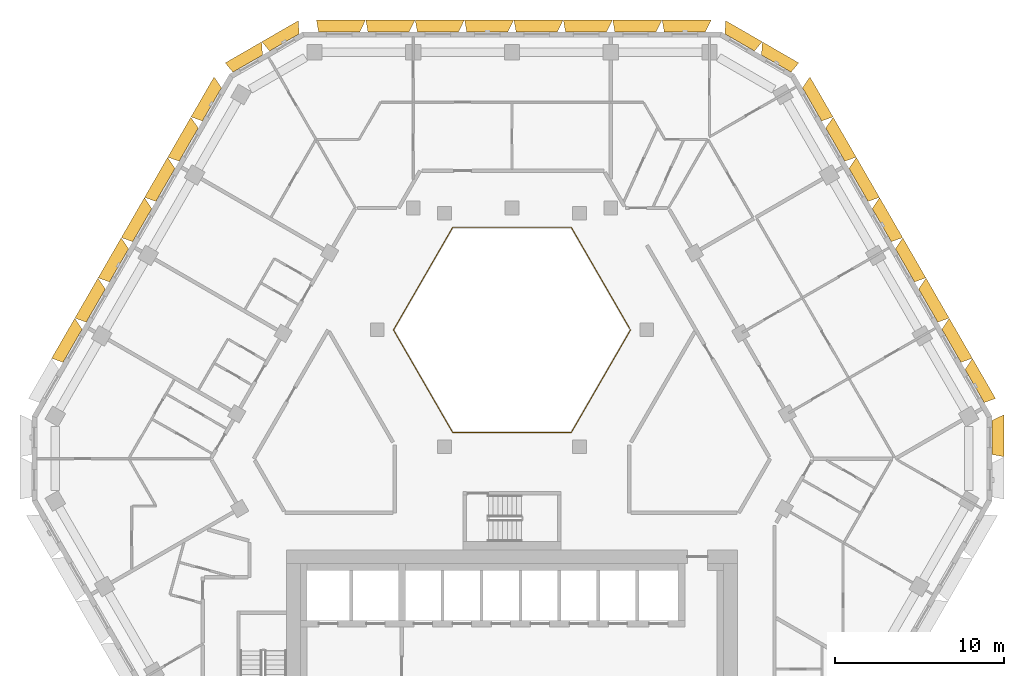
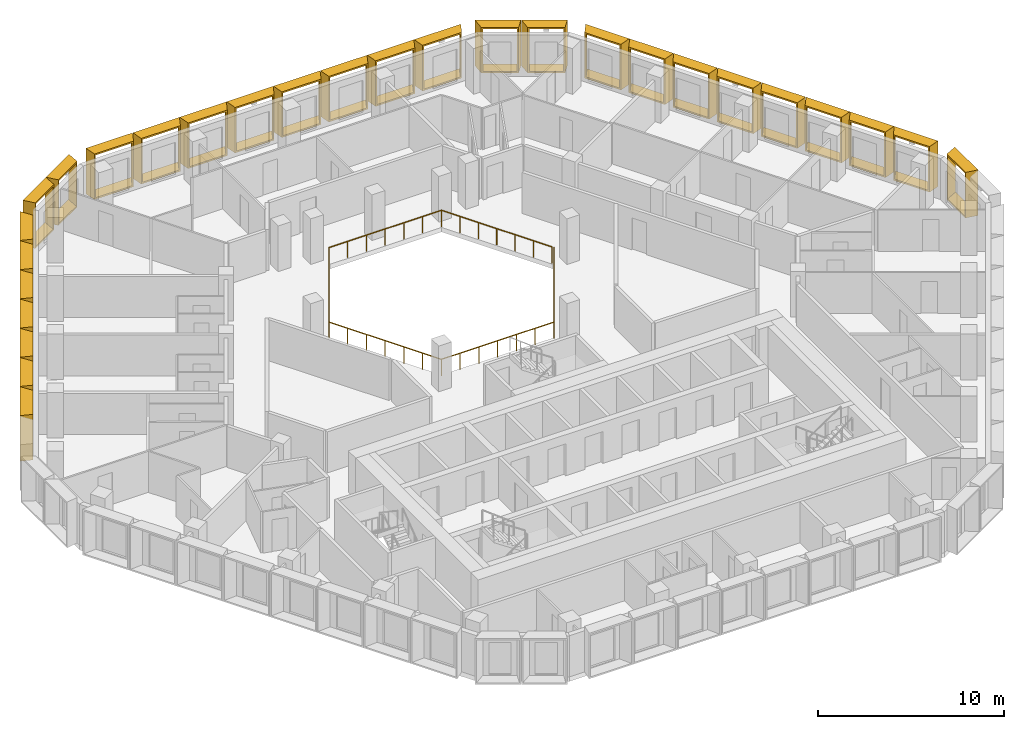
# One storey, part 17 of 17: 28 shading devices, 1 railing.
"""IFC4 building model written with IfcOpenShell, lengths in metres."""

from ifc_helpers import new_model, entity, si_unit, direction, frame, origin, origin_2d, place, context, subcontext, project, spatial, rectangle, extrude, source, transform, mapped, material, type_object, type_shapes, element, save


model = new_model("IFC4")

# Units and contexts
model_context = context("Model", 3, precision=1e-05, world=origin(), true_north=direction((0.0, 1.0)))
body_context = subcontext(model_context, "Body", "Model", "MODEL_VIEW")
ifc_project = project(units=[si_unit("LENGTHUNIT", "METRE"), si_unit("AREAUNIT", "SQUARE_METRE"), si_unit("VOLUMEUNIT", "CUBIC_METRE"), si_unit("PLANEANGLEUNIT", "RADIAN"), si_unit("MASSUNIT", "GRAM", prefix="KILO")], contexts=[model_context])

# Site, building, storey
site_placement = place(None, origin())
site = spatial("IfcSite", under=ifc_project, at=site_placement, CompositionType="ELEMENT")
building_placement = place(site_placement, origin())
building = spatial("IfcBuilding", under=site, at=building_placement, Name="Beryl Residences", CompositionType="ELEMENT")
storey_placement = place(building_placement, frame((0.0, 0.0, 126.60009765625)))
storey = spatial("IfcBuildingStorey", under=building, at=storey_placement, Name="L38", CompositionType="ELEMENT", Elevation=126.60009765625)

# Railing
ifc_material_1 = material(Name="Stainless steel balustrade with glass infill", Category="steel")
railing_type = type_object("IfcRailingType", Name="EG1 edge guard 1100 mm", PredefinedType="GUARDRAIL", material=ifc_material_1)
railing_placement = place(storey_placement, frame((6.9970703125, 8.0, 0.0)))
element("IfcRailing", 1, at=railing_placement, inside=storey, type_object=railing_type, Name="L38 atrium guard", PredefinedType="GUARDRAIL", context=body_context, shape_type="SweptSolid", body=[
    extrude(rectangle(XDim=0.048095703125, YDim=0.048095703125, at=origin_2d()), frame((0.0, 0.0, 1.076171875), z_axis=(-0.499921796684, -0.866070549782, 0.0), x_axis=(0.866070549782, -0.499921796684, 0.0)), (0.0, 0.0, 1.0), 6.9970703125),
    extrude(rectangle(XDim=0.048095703125, YDim=0.048095703125, at=origin_2d()), frame((-3.498046875, -6.06005859375, 1.076171875), z_axis=(-1.0, 0.0, 0.0), x_axis=(0.0, -1.0, 0.0)), (0.0, 0.0, 1.0), 6.998046875),
    extrude(rectangle(XDim=0.048095703125, YDim=0.048095703125, at=origin_2d()), frame((-10.49609375, -6.06005859375, 1.076171875), z_axis=(-0.499921796684, 0.866070549782, 0.0), x_axis=(-0.866070549782, -0.499921796684, 0.0)), (0.0, 0.0, 1.0), 6.9970703125),
    extrude(rectangle(XDim=0.048095703125, YDim=0.048095703125, at=origin_2d()), frame((-13.994140625, 0.0, 1.076171875), z_axis=(0.499921796684, 0.866070549782, 0.0), x_axis=(-0.866070549782, 0.499921796684, 0.0)), (0.0, 0.0, 1.0), 6.9970703125),
    extrude(rectangle(XDim=0.048095703125, YDim=0.048095703125, at=origin_2d()), frame((-10.49609375, 6.06005859375, 1.076171875), z_axis=(1.0, 0.0, 0.0), x_axis=(0.0, 1.0, 0.0)), (0.0, 0.0, 1.0), 6.998046875),
    extrude(rectangle(XDim=0.048095703125, YDim=0.048095703125, at=origin_2d()), frame((-3.498046875, 6.06005859375, 1.076171875), z_axis=(0.499919131929, -0.866072087953, 0.0), x_axis=(0.866072087953, 0.499919131929, 0.0)), (0.0, 0.0, 1.0), 6.877197265625),
    extrude(rectangle(XDim=0.0419921875, YDim=0.0419921875, at=origin_2d()), origin(), (0.0, 0.0, 1.0), 1.052001953125),
    extrude(rectangle(XDim=0.0419921875, YDim=0.0419921875, at=origin_2d()), frame((-0.5830078125, -1.010009765625, 0.0)), (0.0, 0.0, 1.0), 1.052001953125),
    extrude(rectangle(XDim=0.0419921875, YDim=0.0419921875, at=origin_2d()), frame((-1.166015625, -2.02001953125, 0.0)), (0.0, 0.0, 1.0), 1.052001953125),
    extrude(rectangle(XDim=0.0419921875, YDim=0.0419921875, at=origin_2d()), frame((-1.7490234375, -3.030029296875, 0.0)), (0.0, 0.0, 1.0), 1.052001953125),
    extrude(rectangle(XDim=0.0419921875, YDim=0.0419921875, at=origin_2d()), frame((-2.33203125, -4.0400390625, 0.0)), (0.0, 0.0, 1.0), 1.052001953125),
    extrude(rectangle(XDim=0.0419921875, YDim=0.0419921875, at=origin_2d()), frame((-2.9150390625, -5.050048828125, 0.0)), (0.0, 0.0, 1.0), 1.052001953125),
    extrude(rectangle(XDim=0.0419921875, YDim=0.0419921875, at=origin_2d()), frame((-3.498046875, -6.06005859375, 0.0)), (0.0, 0.0, 1.0), 1.052001953125),
    extrude(rectangle(XDim=0.0419921875, YDim=0.0419921875, at=origin_2d()), frame((-4.664306640625, -6.06005859375, 0.0)), (0.0, 0.0, 1.0), 1.052001953125),
    extrude(rectangle(XDim=0.0419921875, YDim=0.0419921875, at=origin_2d()), frame((-5.830810546875, -6.06005859375, 0.0)), (0.0, 0.0, 1.0), 1.052001953125),
    extrude(rectangle(XDim=0.0419921875, YDim=0.0419921875, at=origin_2d()), frame((-6.9970703125, -6.06005859375, 0.0)), (0.0, 0.0, 1.0), 1.052001953125),
    extrude(rectangle(XDim=0.0419921875, YDim=0.0419921875, at=origin_2d()), frame((-8.163330078125, -6.06005859375, 0.0)), (0.0, 0.0, 1.0), 1.052001953125),
    extrude(rectangle(XDim=0.0419921875, YDim=0.0419921875, at=origin_2d()), frame((-9.329833984375, -6.06005859375, 0.0)), (0.0, 0.0, 1.0), 1.052001953125),
    extrude(rectangle(XDim=0.0419921875, YDim=0.0419921875, at=origin_2d()), frame((-10.49609375, -6.06005859375, 0.0)), (0.0, 0.0, 1.0), 1.052001953125),
    extrude(rectangle(XDim=0.0419921875, YDim=0.0419921875, at=origin_2d()), frame((-11.0791015625, -5.050048828125, 0.0)), (0.0, 0.0, 1.0), 1.052001953125),
    extrude(rectangle(XDim=0.0419921875, YDim=0.0419921875, at=origin_2d()), frame((-11.662109375, -4.0400390625, 0.0)), (0.0, 0.0, 1.0), 1.052001953125),
    extrude(rectangle(XDim=0.0419921875, YDim=0.0419921875, at=origin_2d()), frame((-12.2451171875, -3.030029296875, 0.0)), (0.0, 0.0, 1.0), 1.052001953125),
    extrude(rectangle(XDim=0.0419921875, YDim=0.0419921875, at=origin_2d()), frame((-12.828125, -2.02001953125, 0.0)), (0.0, 0.0, 1.0), 1.052001953125),
    extrude(rectangle(XDim=0.0419921875, YDim=0.0419921875, at=origin_2d()), frame((-13.4111328125, -1.010009765625, 0.0)), (0.0, 0.0, 1.0), 1.052001953125),
    extrude(rectangle(XDim=0.0419921875, YDim=0.0419921875, at=origin_2d()), frame((-13.994140625, 0.0, 0.0)), (0.0, 0.0, 1.0), 1.052001953125),
    extrude(rectangle(XDim=0.0419921875, YDim=0.0419921875, at=origin_2d()), frame((-13.4111328125, 1.010009765625, 0.0)), (0.0, 0.0, 1.0), 1.052001953125),
    extrude(rectangle(XDim=0.0419921875, YDim=0.0419921875, at=origin_2d()), frame((-12.828125, 2.02001953125, 0.0)), (0.0, 0.0, 1.0), 1.052001953125),
    extrude(rectangle(XDim=0.0419921875, YDim=0.0419921875, at=origin_2d()), frame((-12.2451171875, 3.030029296875, 0.0)), (0.0, 0.0, 1.0), 1.052001953125),
    extrude(rectangle(XDim=0.0419921875, YDim=0.0419921875, at=origin_2d()), frame((-11.662109375, 4.0400390625, 0.0)), (0.0, 0.0, 1.0), 1.052001953125),
    extrude(rectangle(XDim=0.0419921875, YDim=0.0419921875, at=origin_2d()), frame((-11.0791015625, 5.050048828125, 0.0)), (0.0, 0.0, 1.0), 1.052001953125),
    extrude(rectangle(XDim=0.0419921875, YDim=0.0419921875, at=origin_2d()), frame((-10.49609375, 6.06005859375, 0.0)), (0.0, 0.0, 1.0), 1.052001953125),
    extrude(rectangle(XDim=0.0419921875, YDim=0.0419921875, at=origin_2d()), frame((-9.329833984375, 6.06005859375, 0.0)), (0.0, 0.0, 1.0), 1.052001953125),
    extrude(rectangle(XDim=0.0419921875, YDim=0.0419921875, at=origin_2d()), frame((-8.163330078125, 6.06005859375, 0.0)), (0.0, 0.0, 1.0), 1.052001953125),
    extrude(rectangle(XDim=0.0419921875, YDim=0.0419921875, at=origin_2d()), frame((-6.9970703125, 6.06005859375, 0.0)), (0.0, 0.0, 1.0), 1.052001953125),
    extrude(rectangle(XDim=0.0419921875, YDim=0.0419921875, at=origin_2d()), frame((-5.830810546875, 6.06005859375, 0.0)), (0.0, 0.0, 1.0), 1.052001953125),
    extrude(rectangle(XDim=0.0419921875, YDim=0.0419921875, at=origin_2d()), frame((-4.664306640625, 6.06005859375, 0.0)), (0.0, 0.0, 1.0), 1.052001953125),
    extrude(rectangle(XDim=0.0419921875, YDim=0.0419921875, at=origin_2d()), frame((-3.498046875, 6.06005859375, 0.0)), (0.0, 0.0, 1.0), 1.052001953125),
    extrude(rectangle(XDim=0.0419921875, YDim=0.0419921875, at=origin_2d()), frame((-2.925048828125, 5.0673828125, 0.0)), (0.0, 0.0, 1.0), 1.052001953125),
    extrude(rectangle(XDim=0.0419921875, YDim=0.0419921875, at=origin_2d()), frame((-2.35205078125, 4.07470703125, 0.0)), (0.0, 0.0, 1.0), 1.052001953125),
    extrude(rectangle(XDim=0.0419921875, YDim=0.0419921875, at=origin_2d()), frame((-1.779052734375, 3.08203125, 0.0)), (0.0, 0.0, 1.0), 1.052001953125),
    extrude(rectangle(XDim=0.0419921875, YDim=0.0419921875, at=origin_2d()), frame((-1.2060546875, 2.08935546875, 0.0)), (0.0, 0.0, 1.0), 1.052001953125),
    extrude(rectangle(XDim=0.0419921875, YDim=0.0419921875, at=origin_2d()), frame((-0.633056640625, 1.0966796875, 0.0)), (0.0, 0.0, 1.0), 1.052001953125),
    extrude(rectangle(XDim=0.0419921875, YDim=0.0419921875, at=origin_2d()), frame((-0.06005859375, 0.10400390625, 0.0)), (0.0, 0.0, 1.0), 1.052001953125),
])

# Shading devices
ifc_material_2 = material(Name="Aluminium pale anodised", Category="aluminium")
shading_device_type_1 = type_object("IfcShadingDeviceType", Name="FR250-70B OUTER SKIN frame 700 mm deep, splay 26/10 deg, 2500 x 3000 mm cell", PredefinedType="USERDEFINED", material=ifc_material_2)
cartesian_point_1 = entity("IfcCartesianPoint", [-1.007568359375, 0.0])
cartesian_point_2 = entity("IfcCartesianPoint", [-0.91845703125, 0.10009765625])
cartesian_point_3 = entity("IfcCartesianPoint", [-1.348876953125, 0.0])
cartesian_point_4 = entity("IfcCartesianPoint", [-1.260009765625, 0.10009765625])
shared_shape_1 = source(origin(), body_context, "Body", "SweptSolid", [
    entity("IfcExtrudedAreaSolidTapered", entity("IfcArbitraryProfileDefWithVoids", "AREA", None, entity("IfcPolyline", [cartesian_point_1, entity("IfcCartesianPoint", [1.007568359375, 0.0]), entity("IfcCartesianPoint", [1.007568359375, 3.0]), entity("IfcCartesianPoint", [-1.007568359375, 3.0]), cartesian_point_1]), [entity("IfcPolyline", [cartesian_point_2, entity("IfcCartesianPoint", [0.92626953125, 0.10009765625]), entity("IfcCartesianPoint", [0.92626953125, 2.89990234375]), entity("IfcCartesianPoint", [-0.91845703125, 2.89990234375]), cartesian_point_2])]), entity("IfcAxis2Placement3D", entity("IfcCartesianPoint", [0.0, 0.0, 0.0]), entity("IfcDirection", [0.0, 1.0, 0.0]), entity("IfcDirection", [-1.0, 0.0, 0.0])), entity("IfcDirection", [0.0, 0.0, 1.0]), 0.699951171875, entity("IfcArbitraryProfileDefWithVoids", "AREA", None, entity("IfcPolyline", [cartesian_point_3, entity("IfcCartesianPoint", [1.130859375, 0.0]), entity("IfcCartesianPoint", [1.130859375, 3.0]), entity("IfcCartesianPoint", [-1.348876953125, 3.0]), cartesian_point_3]), [entity("IfcPolyline", [cartesian_point_4, entity("IfcCartesianPoint", [1.0498046875, 0.10009765625]), entity("IfcCartesianPoint", [1.0498046875, 2.89990234375]), entity("IfcCartesianPoint", [-1.260009765625, 2.89990234375]), cartesian_point_4])])),
])
type_shapes(shading_device_type_1, [shared_shape_1])
for number, where, z_axis, x_axis, name in (
    (2, (-13.43798828125, 24.97509765625, 0.0), (0.0, 0.0, 1.0), (0.866025403784, 0.5, 0.0), "FR250-70B frame L38 N-NW 1"),
    (3, (-15.60205078125, 23.72509765625, 0.0), (0.0, 0.0, 1.0), (0.866025403784, 0.5, 0.0), "FR250-70B frame L38 N-NW 2"),
):
    element("IfcShadingDevice", number, at=place(storey_placement, frame(where, z_axis=z_axis, x_axis=x_axis)), inside=storey, type_object=shading_device_type_1, Name=name, ObjectType="OUTER SKIN", PredefinedType="USERDEFINED", context=body_context, shape_type="MappedRepresentation", body=[
        mapped(shared_shape_1, transform((0.0, 0.0, 0.0))),
    ])
ifc_material_3 = material(Name="Aluminium pale anodised", Category="aluminium")
shading_device_type_2 = type_object("IfcShadingDeviceType", Name="FR250-70C OUTER SKIN frame 700 mm deep, splay 10/26 deg, 2500 x 3000 mm cell", PredefinedType="USERDEFINED", material=ifc_material_3)
cartesian_point_5 = entity("IfcCartesianPoint", [-1.007568359375, 0.0])
cartesian_point_6 = entity("IfcCartesianPoint", [-0.92626953125, 0.10009765625])
cartesian_point_7 = entity("IfcCartesianPoint", [-1.130859375, 0.0])
cartesian_point_8 = entity("IfcCartesianPoint", [-1.0498046875, 0.10009765625])
shared_shape_2 = source(origin(), body_context, "Body", "SweptSolid", [
    entity("IfcExtrudedAreaSolidTapered", entity("IfcArbitraryProfileDefWithVoids", "AREA", None, entity("IfcPolyline", [cartesian_point_5, entity("IfcCartesianPoint", [1.007568359375, 0.0]), entity("IfcCartesianPoint", [1.007568359375, 3.0]), entity("IfcCartesianPoint", [-1.007568359375, 3.0]), cartesian_point_5]), [entity("IfcPolyline", [cartesian_point_6, entity("IfcCartesianPoint", [0.91845703125, 0.10009765625]), entity("IfcCartesianPoint", [0.91845703125, 2.89990234375]), entity("IfcCartesianPoint", [-0.92626953125, 2.89990234375]), cartesian_point_6])]), entity("IfcAxis2Placement3D", entity("IfcCartesianPoint", [0.0, 0.0, 0.0]), entity("IfcDirection", [0.0, 1.0, 0.0]), entity("IfcDirection", [-1.0, 0.0, 0.0])), entity("IfcDirection", [0.0, 0.0, 1.0]), 0.699951171875, entity("IfcArbitraryProfileDefWithVoids", "AREA", None, entity("IfcPolyline", [cartesian_point_7, entity("IfcCartesianPoint", [1.348876953125, 0.0]), entity("IfcCartesianPoint", [1.348876953125, 3.0]), entity("IfcCartesianPoint", [-1.130859375, 3.0]), cartesian_point_7]), [entity("IfcPolyline", [cartesian_point_8, entity("IfcCartesianPoint", [1.260009765625, 0.10009765625]), entity("IfcCartesianPoint", [1.260009765625, 2.89990234375]), entity("IfcCartesianPoint", [-1.0498046875, 2.89990234375]), cartesian_point_8])])),
])
type_shapes(shading_device_type_2, [shared_shape_2])
for number, where, z_axis, x_axis, name in (
    (4, (28.347900390625, 1.64990234375, 0.0), (0.0, 0.0, 1.0), (0.0, -1.0, 0.0), "FR250-70C frame L38 SE-NE 2"),
    (5, (15.60205078125, 23.72509765625, 0.0), (0.0, 0.0, 1.0), (0.866025403784, -0.5, 0.0), "FR250-70C frame L38 NE-N 1"),
    (6, (13.43798828125, 24.97509765625, 0.0), (0.0, 0.0, 1.0), (0.866025403784, -0.5, 0.0), "FR250-70C frame L38 NE-N 2"),
):
    element("IfcShadingDevice", number, at=place(storey_placement, frame(where, z_axis=z_axis, x_axis=x_axis)), inside=storey, type_object=shading_device_type_2, Name=name, ObjectType="OUTER SKIN", PredefinedType="USERDEFINED", context=body_context, shape_type="MappedRepresentation", body=[
        mapped(shared_shape_2, transform((0.0, 0.0, 0.0))),
    ])
ifc_material_4 = material(Name="Aluminium pale anodised", Category="aluminium")
shading_device_type_3 = type_object("IfcShadingDeviceType", Name="FR274-70B OUTER SKIN frame 700 mm deep, splay 26/10 deg, 2740 x 3000 mm cell", PredefinedType="USERDEFINED", material=ifc_material_4)
cartesian_point_9 = entity("IfcCartesianPoint", [-1.12744140625, 0.0])
cartesian_point_10 = entity("IfcCartesianPoint", [-1.03857421875, 0.10009765625])
cartesian_point_11 = entity("IfcCartesianPoint", [-1.468994140625, 0.0])
cartesian_point_12 = entity("IfcCartesianPoint", [-1.3798828125, 0.10009765625])
shared_shape_3 = source(origin(), body_context, "Body", "SweptSolid", [
    entity("IfcExtrudedAreaSolidTapered", entity("IfcArbitraryProfileDefWithVoids", "AREA", None, entity("IfcPolyline", [cartesian_point_9, entity("IfcCartesianPoint", [1.12744140625, 0.0]), entity("IfcCartesianPoint", [1.12744140625, 3.0]), entity("IfcCartesianPoint", [-1.12744140625, 3.0]), cartesian_point_9]), [entity("IfcPolyline", [cartesian_point_10, entity("IfcCartesianPoint", [1.04638671875, 0.10009765625]), entity("IfcCartesianPoint", [1.04638671875, 2.89990234375]), entity("IfcCartesianPoint", [-1.03857421875, 2.89990234375]), cartesian_point_10])]), entity("IfcAxis2Placement3D", entity("IfcCartesianPoint", [0.0, 0.0, 0.0]), entity("IfcDirection", [0.0, 1.0, 0.0]), entity("IfcDirection", [-1.0, 0.0, 0.0])), entity("IfcDirection", [0.0, 0.0, 1.0]), 0.699951171875, entity("IfcArbitraryProfileDefWithVoids", "AREA", None, entity("IfcPolyline", [cartesian_point_11, entity("IfcCartesianPoint", [1.2509765625, 0.0]), entity("IfcCartesianPoint", [1.2509765625, 3.0]), entity("IfcCartesianPoint", [-1.468994140625, 3.0]), cartesian_point_11]), [entity("IfcPolyline", [cartesian_point_12, entity("IfcCartesianPoint", [1.169677734375, 0.10009765625]), entity("IfcCartesianPoint", [1.169677734375, 2.89990234375]), entity("IfcCartesianPoint", [-1.3798828125, 2.89990234375]), cartesian_point_12])])),
])
type_shapes(shading_device_type_3, [shared_shape_3])
for number, where, z_axis, x_axis, name in (
    (7, (-17.718017578125, 21.31298828125, 0.0), (0.0, 0.0, 1.0), (0.5, 0.866025403784, 0.0), "FR274-70B frame L38 NW 1"),
    (8, (-19.089111328125, 18.93798828125, 0.0), (0.0, 0.0, 1.0), (0.5, 0.866025403784, 0.0), "FR274-70B frame L38 NW 2"),
    (9, (-20.4599609375, 16.56298828125, 0.0), (0.0, 0.0, 1.0), (0.5, 0.866025403784, 0.0), "FR274-70B frame L38 NW 3"),
    (10, (-21.8310546875, 14.18798828125, 0.0), (0.0, 0.0, 1.0), (0.5, 0.866025403784, 0.0), "FR274-70B frame L38 NW 4"),
    (11, (-23.202880859375, 11.81201171875, 0.0), (0.0, 0.0, 1.0), (0.5, 0.866025403784, 0.0), "FR274-70B frame L38 NW 5"),
    (12, (-24.573974609375, 9.43701171875, 0.0), (0.0, 0.0, 1.0), (0.5, 0.866025403784, 0.0), "FR274-70B frame L38 NW 6"),
    (13, (-25.945068359375, 7.06201171875, 0.0), (0.0, 0.0, 1.0), (0.5, 0.866025403784, 0.0), "FR274-70B frame L38 NW 7"),
):
    element("IfcShadingDevice", number, at=place(storey_placement, frame(where, z_axis=z_axis, x_axis=x_axis)), inside=storey, type_object=shading_device_type_3, Name=name, ObjectType="OUTER SKIN", PredefinedType="USERDEFINED", context=body_context, shape_type="MappedRepresentation", body=[
        mapped(shared_shape_3, transform((0.0, 0.0, 0.0))),
    ])
ifc_material_5 = material(Name="Aluminium pale anodised", Category="aluminium")
shading_device_type_4 = type_object("IfcShadingDeviceType", Name="FR274-70C OUTER SKIN frame 700 mm deep, splay 10/26 deg, 2740 x 3000 mm cell", PredefinedType="USERDEFINED", material=ifc_material_5)
cartesian_point_13 = entity("IfcCartesianPoint", [-1.12744140625, 0.0])
cartesian_point_14 = entity("IfcCartesianPoint", [-1.04638671875, 0.10009765625])
cartesian_point_15 = entity("IfcCartesianPoint", [-1.2509765625, 0.0])
cartesian_point_16 = entity("IfcCartesianPoint", [-1.169677734375, 0.10009765625])
shared_shape_4 = source(origin(), body_context, "Body", "SweptSolid", [
    entity("IfcExtrudedAreaSolidTapered", entity("IfcArbitraryProfileDefWithVoids", "AREA", None, entity("IfcPolyline", [cartesian_point_13, entity("IfcCartesianPoint", [1.12744140625, 0.0]), entity("IfcCartesianPoint", [1.12744140625, 3.0]), entity("IfcCartesianPoint", [-1.12744140625, 3.0]), cartesian_point_13]), [entity("IfcPolyline", [cartesian_point_14, entity("IfcCartesianPoint", [1.03857421875, 0.10009765625]), entity("IfcCartesianPoint", [1.03857421875, 2.89990234375]), entity("IfcCartesianPoint", [-1.04638671875, 2.89990234375]), cartesian_point_14])]), entity("IfcAxis2Placement3D", entity("IfcCartesianPoint", [0.0, 0.0, 0.0]), entity("IfcDirection", [0.0, 1.0, 0.0]), entity("IfcDirection", [-1.0, 0.0, 0.0])), entity("IfcDirection", [0.0, 0.0, 1.0]), 0.699951171875, entity("IfcArbitraryProfileDefWithVoids", "AREA", None, entity("IfcPolyline", [cartesian_point_15, entity("IfcCartesianPoint", [1.468994140625, 0.0]), entity("IfcCartesianPoint", [1.468994140625, 3.0]), entity("IfcCartesianPoint", [-1.2509765625, 3.0]), cartesian_point_15]), [entity("IfcPolyline", [cartesian_point_16, entity("IfcCartesianPoint", [1.3798828125, 0.10009765625]), entity("IfcCartesianPoint", [1.3798828125, 2.89990234375]), entity("IfcCartesianPoint", [-1.169677734375, 2.89990234375]), cartesian_point_16])])),
])
type_shapes(shading_device_type_4, [shared_shape_4])
for number, where, z_axis, x_axis, name in (
    (14, (27.31591796875, 4.68701171875, 0.0), (0.0, 0.0, 1.0), (0.5, -0.866025403784, 0.0), "FR274-70C frame L38 NE 1"),
    (15, (25.945068359375, 7.06201171875, 0.0), (0.0, 0.0, 1.0), (0.5, -0.866025403784, 0.0), "FR274-70C frame L38 NE 2"),
    (16, (24.573974609375, 9.43701171875, 0.0), (0.0, 0.0, 1.0), (0.5, -0.866025403784, 0.0), "FR274-70C frame L38 NE 3"),
    (17, (23.202880859375, 11.81201171875, 0.0), (0.0, 0.0, 1.0), (0.5, -0.866025403784, 0.0), "FR274-70C frame L38 NE 4"),
    (18, (21.8310546875, 14.18798828125, 0.0), (0.0, 0.0, 1.0), (0.5, -0.866025403784, 0.0), "FR274-70C frame L38 NE 5"),
    (19, (20.4599609375, 16.56298828125, 0.0), (0.0, 0.0, 1.0), (0.5, -0.866025403784, 0.0), "FR274-70C frame L38 NE 6"),
    (20, (19.089111328125, 18.93798828125, 0.0), (0.0, 0.0, 1.0), (0.5, -0.866025403784, 0.0), "FR274-70C frame L38 NE 7"),
    (21, (17.718017578125, 21.31298828125, 0.0), (0.0, 0.0, 1.0), (0.5, -0.866025403784, 0.0), "FR274-70C frame L38 NE 8"),
):
    element("IfcShadingDevice", number, at=place(storey_placement, frame(where, z_axis=z_axis, x_axis=x_axis)), inside=storey, type_object=shading_device_type_4, Name=name, ObjectType="OUTER SKIN", PredefinedType="USERDEFINED", context=body_context, shape_type="MappedRepresentation", body=[
        mapped(shared_shape_4, transform((0.0, 0.0, 0.0))),
    ])
ifc_material_6 = material(Name="Aluminium pale anodised", Category="aluminium")
shading_device_type_5 = type_object("IfcShadingDeviceType", Name="FR292-70B OUTER SKIN frame 700 mm deep, splay 26/10 deg, 2920 x 3000 mm cell", PredefinedType="USERDEFINED", material=ifc_material_6)
cartesian_point_17 = entity("IfcCartesianPoint", [-1.217529296875, 0.0])
cartesian_point_18 = entity("IfcCartesianPoint", [-1.12841796875, 0.10009765625])
cartesian_point_19 = entity("IfcCartesianPoint", [-1.558837890625, 0.0])
cartesian_point_20 = entity("IfcCartesianPoint", [-1.469970703125, 0.10009765625])
shared_shape_5 = source(origin(), body_context, "Body", "SweptSolid", [
    entity("IfcExtrudedAreaSolidTapered", entity("IfcArbitraryProfileDefWithVoids", "AREA", None, entity("IfcPolyline", [cartesian_point_17, entity("IfcCartesianPoint", [1.217529296875, 0.0]), entity("IfcCartesianPoint", [1.217529296875, 3.0]), entity("IfcCartesianPoint", [-1.217529296875, 3.0]), cartesian_point_17]), [entity("IfcPolyline", [cartesian_point_18, entity("IfcCartesianPoint", [1.13623046875, 0.10009765625]), entity("IfcCartesianPoint", [1.13623046875, 2.89990234375]), entity("IfcCartesianPoint", [-1.12841796875, 2.89990234375]), cartesian_point_18])]), entity("IfcAxis2Placement3D", entity("IfcCartesianPoint", [0.0, 0.0, 0.0]), entity("IfcDirection", [0.0, 1.0, 0.0]), entity("IfcDirection", [-1.0, 0.0, 0.0])), entity("IfcDirection", [0.0, 0.0, 1.0]), 0.699951171875, entity("IfcArbitraryProfileDefWithVoids", "AREA", None, entity("IfcPolyline", [cartesian_point_19, entity("IfcCartesianPoint", [1.3408203125, 0.0]), entity("IfcCartesianPoint", [1.3408203125, 3.0]), entity("IfcCartesianPoint", [-1.558837890625, 3.0]), cartesian_point_19]), [entity("IfcPolyline", [cartesian_point_20, entity("IfcCartesianPoint", [1.259765625, 0.10009765625]), entity("IfcCartesianPoint", [1.259765625, 2.89990234375]), entity("IfcCartesianPoint", [-1.469970703125, 2.89990234375]), cartesian_point_20])])),
])
type_shapes(shading_device_type_5, [shared_shape_5])
for number, where, z_axis, x_axis, name in (
    (22, (10.2041015625, 25.60009765625, 0.0), (0.0, 0.0, 1.0), (1.0, 0.0, 0.0), "FR292-70B frame L38 N 1"),
    (23, (7.2890625, 25.60009765625, 0.0), (0.0, 0.0, 1.0), (1.0, 0.0, 0.0), "FR292-70B frame L38 N 2"),
    (24, (4.373046875, 25.60009765625, 0.0), (0.0, 0.0, 1.0), (1.0, 0.0, 0.0), "FR292-70B frame L38 N 3"),
    (25, (1.4580078125, 25.60009765625, 0.0), (0.0, 0.0, 1.0), (1.0, 0.0, 0.0), "FR292-70B frame L38 N 4"),
    (26, (-1.4580078125, 25.60009765625, 0.0), (0.0, 0.0, 1.0), (1.0, 0.0, 0.0), "FR292-70B frame L38 N 5"),
    (27, (-4.373046875, 25.60009765625, 0.0), (0.0, 0.0, 1.0), (1.0, 0.0, 0.0), "FR292-70B frame L38 N 6"),
    (28, (-7.2890625, 25.60009765625, 0.0), (0.0, 0.0, 1.0), (1.0, 0.0, 0.0), "FR292-70B frame L38 N 7"),
    (29, (-10.2041015625, 25.60009765625, 0.0), (0.0, 0.0, 1.0), (1.0, 0.0, 0.0), "FR292-70B frame L38 N 8"),
):
    element("IfcShadingDevice", number, at=place(storey_placement, frame(where, z_axis=z_axis, x_axis=x_axis)), inside=storey, type_object=shading_device_type_5, Name=name, ObjectType="OUTER SKIN", PredefinedType="USERDEFINED", context=body_context, shape_type="MappedRepresentation", body=[
        mapped(shared_shape_5, transform((0.0, 0.0, 0.0))),
    ])

save(model, "model.ifc")
